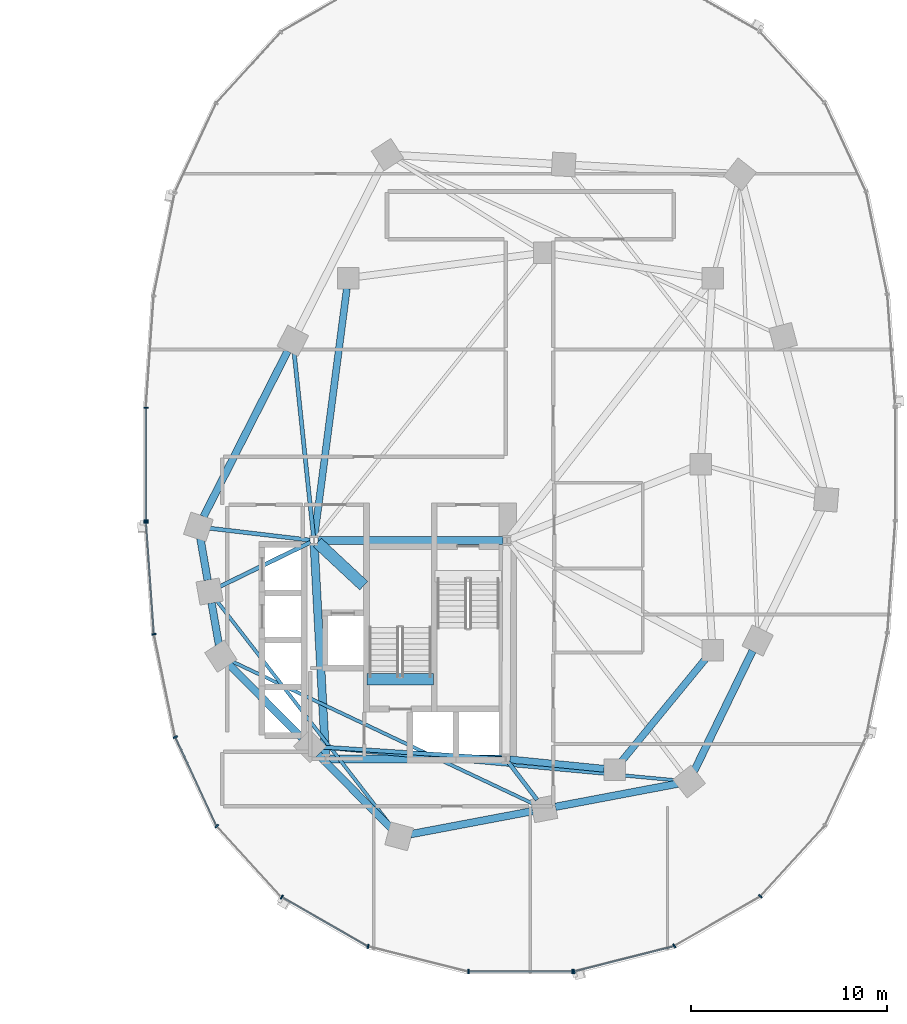
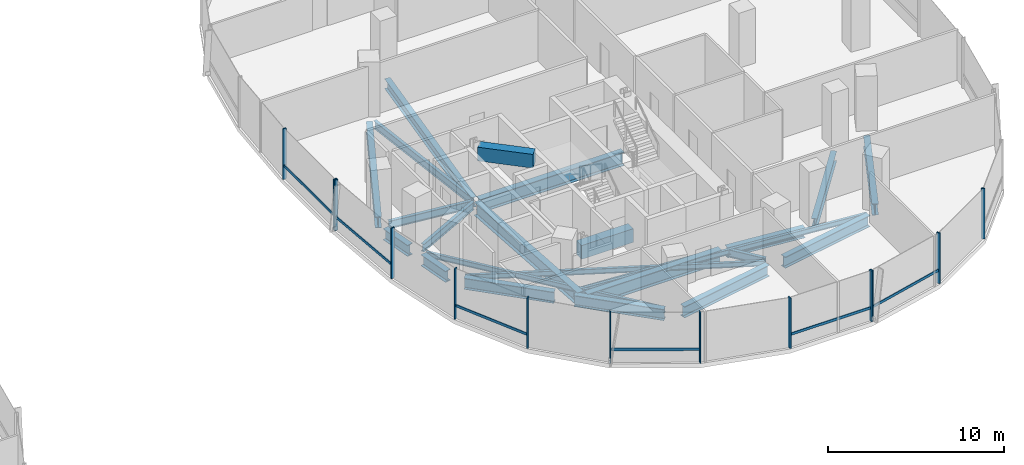
# One storey, part 5 of 21: 24 beams, 19 members, 3 elements without a shape of their own.
"""IFC4 building model written with IfcOpenShell, lengths in metres."""

import ifcopenshell
import ifcopenshell.guid

model = None  # the IFC model being written
_history = None  # IfcOwnerHistory: only IFC2X3 demands one
_inside = {}  # id of a spatial element -> (the spatial element, [elements in it])
_under = {}  # id of a project, library or spatial element -> (it, [spatial elements below it])
_declared = {}  # id of a project -> (the project, [libraries it declares])
_typed = {}  # id of a type object -> (the type object, [elements of that type])
_made_of = {}  # id of a material, layer set ... -> (it, [elements and type objects made of it])


def new_model(schema):
    """Start an empty IFC model of exactly this schema.

    Asked for "IFC4X3", IfcOpenShell would pick the latest addendum, in which some entities
    have other attributes; the version numbers below select the first issue.
    IFC2X3 requires an IfcOwnerHistory on every rooted entity: one is made here for all.
    """
    global model, _history
    if schema == "IFC4X3":
        model = ifcopenshell.file(schema_version=(4, 3, 0, 0))
    else:
        model = ifcopenshell.file(schema=schema)
    _inside.clear()
    _under.clear()
    _declared.clear()
    _typed.clear()
    _made_of.clear()
    _history = None
    if model.schema == "IFC2X3":
        org = make("IfcOrganization", Name="unknown")
        user = make(
            "IfcPersonAndOrganization",
            ThePerson=make("IfcPerson", FamilyName="unknown"),
            TheOrganization=org,
        )
        app = make(
            "IfcApplication",
            ApplicationDeveloper=org,
            Version="unknown",
            ApplicationFullName="unknown",
            ApplicationIdentifier="unknown",
        )
        _history = make(
            "IfcOwnerHistory",
            OwningUser=user,
            OwningApplication=app,
            ChangeAction="ADDED",
            CreationDate=0,
        )
    return model


def make(cls, **values):
    """One entity of the class cls with the attributes given. An attribute that is None is left unset."""
    return model.create_entity(
        cls, **{name: value for name, value in values.items() if value is not None}
    )


def rooted(cls, **values):
    """An entity with a GlobalId (a new one), such as an element, a storey or a relation."""
    return make(cls, GlobalId=ifcopenshell.guid.new(), OwnerHistory=_history, **values)


def si_unit(unit_type, name, prefix=None):
    """IfcSIUnit, for example si_unit("LENGTHUNIT", "METRE", prefix="MILLI")."""
    return make("IfcSIUnit", UnitType=unit_type, Prefix=prefix, Name=name)


def assignment(units):
    """IfcUnitAssignment: the units of a project."""
    return None if units is None else make("IfcUnitAssignment", Units=units)


def point(xyz):
    """IfcCartesianPoint."""
    return None if xyz is None else make("IfcCartesianPoint", Coordinates=xyz)


def direction(xyz):
    """IfcDirection."""
    return None if xyz is None else make("IfcDirection", DirectionRatios=xyz)


def frame(location, z_axis=None, x_axis=None):
    """IfcAxis2Placement3D, a coordinate frame: its origin and axes. An axis left out is left unset."""
    return make(
        "IfcAxis2Placement3D",
        Location=point(location),
        Axis=direction(z_axis),
        RefDirection=direction(x_axis),
    )


def frame_2d(location, x_axis=None):
    """IfcAxis2Placement2D, a coordinate frame in the plane: its origin and x axis."""
    return make(
        "IfcAxis2Placement2D", Location=point(location), RefDirection=direction(x_axis)
    )


def origin():
    """The frame at (0, 0, 0) with its axes left unset."""
    return frame((0.0, 0.0, 0.0))


def origin_2d():
    """The frame at (0, 0) in the plane with its x axis left unset."""
    return frame_2d((0.0, 0.0))


def place(relative_to, where):
    """IfcLocalPlacement: puts the frame where relative to a parent placement (None: the world)."""
    return make(
        "IfcLocalPlacement", PlacementRelTo=relative_to, RelativePlacement=where
    )


def context(
    kind, dimensions, precision=None, world=None, true_north=None, identifier=None
):
    """IfcGeometricRepresentationContext, for example the 3D "Model" context."""
    return make(
        "IfcGeometricRepresentationContext",
        ContextIdentifier=identifier,
        ContextType=kind,
        CoordinateSpaceDimension=dimensions,
        Precision=precision,
        WorldCoordinateSystem=world,
        TrueNorth=true_north,
    )


def subcontext(parent, identifier, kind, view, scale=None):
    """IfcGeometricRepresentationSubContext, for example "Body" below "Model"."""
    return make(
        "IfcGeometricRepresentationSubContext",
        ContextIdentifier=identifier,
        ContextType=kind,
        ParentContext=parent,
        TargetScale=scale,
        TargetView=view,
    )


def project(units=None, contexts=None):
    """IfcProject with its units and contexts."""
    return rooted(
        "IfcProject",
        Name="project",
        RepresentationContexts=contexts,
        UnitsInContext=assignment(units),
    )


def spatial(cls, under=None, at=None, **own):
    """A site, building, storey or space (cls), placed at a placement, below another one or the project."""
    s = rooted(cls, ObjectPlacement=at, **own)
    if under is not None:
        _under.setdefault(under.id(), (under, []))[1].append(s)
    return s


def profile(cls, at=None, kind="AREA", **sizes):
    """A parametric profile (cls). Its sizes go by their IFC names, for example OverallWidth=200.0."""
    return make(cls, ProfileType=kind, Position=at, **sizes)


def rectangle(**sizes):
    """IfcRectangleProfileDef."""
    return profile("IfcRectangleProfileDef", **sizes)


def i_section(**sizes):
    """IfcIShapeProfileDef."""
    return profile("IfcIShapeProfileDef", **sizes)


def extrude(swept, where, along, depth):
    """IfcExtrudedAreaSolid: the profile swept, set in the frame where, extruded along a direction by depth."""
    return make(
        "IfcExtrudedAreaSolid",
        SweptArea=swept,
        Position=where,
        ExtrudedDirection=direction(along),
        Depth=depth,
    )


def shape(context_of_items, identifier, shape_type, items):
    """IfcShapeRepresentation: the items that make up one representation, for example the "Body"."""
    return make(
        "IfcShapeRepresentation",
        ContextOfItems=context_of_items,
        RepresentationIdentifier=identifier,
        RepresentationType=shape_type,
        Items=items,
    )


def material(Name=None, Category=None):
    """IfcMaterial."""
    return make("IfcMaterial", Name=Name, Category=Category)


def material_profile(
    of_material, cross_section, Name=None, Category=None, Priority=None
):
    """IfcMaterialProfile: a cross section and its material."""
    return make(
        "IfcMaterialProfile",
        Name=Name,
        Material=of_material,
        Profile=cross_section,
        Priority=Priority,
        Category=Category,
    )


def profile_set(profiles, Name=None, composite=None):
    """IfcMaterialProfileSet."""
    return make(
        "IfcMaterialProfileSet",
        Name=Name,
        MaterialProfiles=profiles,
        CompositeProfile=composite,
    )


def made_of(thing, what):
    """Note that an element or type object is made of a material, layer set ...; save() writes the relation."""
    if what is not None:
        _made_of.setdefault(what.id(), (what, []))[1].append(thing)
    return thing


def type_object(cls, material=None, **own):
    """A type object (cls), such as IfcWallType, which elements share."""
    return made_of(rooted(cls, **own), material)


def element(
    cls,
    number,
    at=None,
    inside=None,
    cuts=None,
    type_object=None,
    material=None,
    context=None,
    identifier="Body",
    shape_type=None,
    held_by="IfcProductDefinitionShape",
    body=None,
    shapes=None,
    **own,
):
    """One element of the class cls, such as IfcWall. Its Tag is "e" and its number.

    at: its placement. inside: the storey or other place that contains it. cuts: it is an
    opening in that element (IfcRelVoidsElement). A single representation is given by context,
    identifier, shape_type and body (its items); several are given by shapes. held_by: the class
    of the entity that holds the representations. save() writes the other relations.
    """
    e = rooted(cls, Tag="e%d" % number, ObjectPlacement=at, **own)
    if body is not None:
        shapes = [shape(context, identifier, shape_type, body)]
    if shapes is not None:
        e.Representation = make(held_by, Representations=shapes)
    if inside is not None:
        _inside.setdefault(inside.id(), (inside, []))[1].append(e)
    if cuts is not None:
        rooted(
            "IfcRelVoidsElement", RelatingBuildingElement=cuts, RelatedOpeningElement=e
        )
    if type_object is not None:
        _typed.setdefault(type_object.id(), (type_object, []))[1].append(e)
    return made_of(e, material)


def aggregate(whole, parts):
    """IfcRelAggregates: a whole, such as a stair, and the parts it consists of."""
    return rooted("IfcRelAggregates", RelatingObject=whole, RelatedObjects=parts)


def save(model, path):
    """Write the relations noted so far, then the file.

    IfcRelAggregates (storeys below a building ...), IfcRelContainedInSpatialStructure (elements
    in a storey), IfcRelDefinesByType, IfcRelAssociatesMaterial and IfcRelDeclares: one each for
    every whole, place, type object, material and project.
    """
    for whole, parts in _under.values():
        aggregate(whole, parts)
    for where, things in _inside.values():
        rooted(
            "IfcRelContainedInSpatialStructure",
            RelatedElements=things,
            RelatingStructure=where,
        )
    for kind, things in _typed.values():
        rooted("IfcRelDefinesByType", RelatedObjects=things, RelatingType=kind)
    for what, things in _made_of.values():
        rooted("IfcRelAssociatesMaterial", RelatedObjects=things, RelatingMaterial=what)
    for by, libraries in _declared.values():
        rooted("IfcRelDeclares", RelatingContext=by, RelatedDefinitions=libraries)
    model.write(path)


model = new_model("IFC4")

# Units and contexts
model_context = context("Model", 3, precision=1e-05, world=origin(), true_north=direction((0.0, 1.0)))
body_context = subcontext(model_context, "Body", "Model", "MODEL_VIEW")
ifc_project = project(units=[si_unit("LENGTHUNIT", "METRE"), si_unit("AREAUNIT", "SQUARE_METRE"), si_unit("VOLUMEUNIT", "CUBIC_METRE"), si_unit("PLANEANGLEUNIT", "RADIAN"), si_unit("MASSUNIT", "GRAM", prefix="KILO"), si_unit("THERMODYNAMICTEMPERATUREUNIT", "KELVIN"), si_unit("POWERUNIT", "WATT")], contexts=[model_context])

# Site, building, storey
site_placement = place(None, origin())
site = spatial("IfcSite", under=ifc_project, at=site_placement, CompositionType="ELEMENT")
building_placement = place(site_placement, origin())
building = spatial("IfcBuilding", under=site, at=building_placement, Name="Cundina Bronze Exchange", CompositionType="ELEMENT")
storey_placement = place(building_placement, frame((0.0, 0.0, 65.800048828125)))
storey = spatial("IfcBuildingStorey", under=building, at=storey_placement, Name="L16", CompositionType="ELEMENT", Elevation=65.800048828125)

# Beams
ifc_material_1 = material(Name="Concrete C60/75", Category="concrete")
ifc_material_profile_1 = material_profile(ifc_material_1, rectangle(XDim=0.60009765625, YDim=0.949951171875, at=origin_2d()), Name="RC600X950", Category="concrete")
ifc_profile_set_1 = profile_set([ifc_material_profile_1], Name="Concrete C60/75")
beam_type_1 = type_object("IfcBeamType", Name="BM-COUP-RC950", PredefinedType="LINTEL", material=ifc_profile_set_1)
beam_1_placement = place(storey_placement, frame((24.159912109375, -10.97998046875, -0.47509765625), z_axis=(1.0, 0.0, 0.0), x_axis=(0.0, 1.0, 0.0)))
element("IfcBeam", 1, at=beam_1_placement, inside=storey, type_object=beam_type_1, Name="L16 Stair E2 Landing Header Beam", PredefinedType="LINTEL", context=body_context, shape_type="SweptSolid", body=[
    extrude(rectangle(XDim=0.60009765625, YDim=0.949951171875, at=origin_2d()), origin(), (0.0, 0.0, 1.0), 3.400146484375),
])
beam_2_placement = place(storey_placement, frame((21.6298828125, -4.0, 3.02490234375), z_axis=(0.731490439815, -0.681851696822, 0.0), x_axis=(0.681851696822, 0.731490439815, 0.0)))
element("IfcBeam", 2, at=beam_2_placement, inside=storey, type_object=beam_type_1, Name="L16 E Core Shear Coupling Lintel Beam", PredefinedType="LINTEL", context=body_context, shape_type="SweptSolid", body=[
    extrude(rectangle(XDim=0.60009765625, YDim=0.949951171875, at=origin_2d()), origin(), (0.0, 0.0, 1.0), 3.226318359375),
])
ifc_material_2 = material(Name="Steel ASTM A992 Grade 50", Category="steel")
ifc_material_profile_2 = material_profile(ifc_material_2, i_section(OverallWidth=0.2099609375, OverallDepth=0.532958984375, WebThickness=0.01025390625, FlangeThickness=0.015625, FilletRadius=0.013916015625, at=origin_2d()), Name="W21X62", Category="steel")
ifc_profile_set_2 = profile_set([ifc_material_profile_2], Name="Steel ASTM A992 Grade 50")
beam_type_2 = type_object("IfcBeamType", Name="BM-FLR-W21B", PredefinedType="BEAM", material=ifc_profile_set_2)
beam_3_placement = place(storey_placement, frame((21.247314453125, -3.8759765625, -0.566650390625), z_axis=(-0.993035236117, 0.117817739878, 0.0), x_axis=(-0.117817739878, -0.993035236117, 0.0)))
element("IfcBeam", 3, at=beam_3_placement, inside=storey, type_object=beam_type_2, Name="L16 Leg E Chordal Floor Beam 00", PredefinedType="BEAM", context=body_context, shape_type="SweptSolid", body=[
    extrude(i_section(OverallWidth=0.2099609375, OverallDepth=0.532958984375, WebThickness=0.01025390625, FlangeThickness=0.015625, FilletRadius=0.013916015625, at=origin_2d()), origin(), (0.0, 0.0, 1.0), 5.1494140625),
])
beam_4_placement = place(storey_placement, frame((21.2666015625, -3.989501953125, -0.566650390625), z_axis=(-0.898610249448, -0.438747785849, 0.0), x_axis=(0.438747785849, -0.898610249448, 0.0)))
element("IfcBeam", 4, at=beam_4_placement, inside=storey, type_object=beam_type_2, Name="L16 Leg E Chordal Floor Beam 01", PredefinedType="BEAM", context=body_context, shape_type="SweptSolid", body=[
    extrude(i_section(OverallWidth=0.2099609375, OverallDepth=0.532958984375, WebThickness=0.01025390625, FlangeThickness=0.015625, FilletRadius=0.013916015625, at=origin_2d()), origin(), (0.0, 0.0, 1.0), 5.1337890625),
])
beam_5_placement = place(storey_placement, frame((31.04638671875, -15.036865234375, -0.566650390625), z_axis=(-0.99789233798, 0.064891307594, 0.0), x_axis=(-0.064891307594, -0.99789233798, 0.0)))
element("IfcBeam", 5, at=beam_5_placement, inside=storey, type_object=beam_type_2, Name="L16 Leg E Chordal Floor Beam 03", PredefinedType="BEAM", context=body_context, shape_type="SweptSolid", body=[
    extrude(i_section(OverallWidth=0.2099609375, OverallDepth=0.532958984375, WebThickness=0.01025390625, FlangeThickness=0.015625, FilletRadius=0.013916015625, at=origin_2d()), origin(), (0.0, 0.0, 1.0), 9.22900390625),
])
beam_6_placement = place(storey_placement, frame((31.373779296875, -15.2119140625, -0.566650390625), z_axis=(0.607468844289, -0.794343504548, 0.0), x_axis=(0.794343504548, 0.607468844289, 0.0)))
element("IfcBeam", 6, at=beam_6_placement, inside=storey, type_object=beam_type_2, Name="L16 Leg E Chordal Floor Beam 05", PredefinedType="BEAM", context=body_context, shape_type="SweptSolid", body=[
    extrude(i_section(OverallWidth=0.2099609375, OverallDepth=0.532958984375, WebThickness=0.01025390625, FlangeThickness=0.015625, FilletRadius=0.013916015625, at=origin_2d()), origin(), (0.0, 0.0, 1.0), 2.418212890625),
])
beam_7_placement = place(storey_placement, frame((21.4287109375, -3.697021484375, -0.566650390625), z_axis=(-0.10483517787, 0.994489610544, 0.0), x_axis=(-0.994489610544, -0.10483517787, 0.0)))
element("IfcBeam", 7, at=beam_7_placement, inside=storey, type_object=beam_type_2, Name="L16 Leg E Chordal Floor Beam 13", PredefinedType="BEAM", context=body_context, shape_type="SweptSolid", body=[
    extrude(i_section(OverallWidth=0.2099609375, OverallDepth=0.532958984375, WebThickness=0.01025390625, FlangeThickness=0.015625, FilletRadius=0.013916015625, at=origin_2d()), origin(), (0.0, 0.0, 1.0), 9.46435546875),
])
ifc_material_profile_3 = material_profile(ifc_material_2, i_section(OverallWidth=0.172119140625, OverallDepth=0.35791015625, WebThickness=0.0078125, FlangeThickness=0.01318359375, FilletRadius=0.010009765625, at=origin_2d()), Name="W14X38", Category="steel")
ifc_profile_set_3 = profile_set([ifc_material_profile_3], Name="Steel ASTM A992 Grade 50")
beam_type_3 = type_object("IfcBeamType", Name="BM-JST-W14", PredefinedType="JOIST", material=ifc_profile_set_3)
beam_8_placement = place(storey_placement, frame((16.48486328125, -6.965087890625, -0.47900390625), z_axis=(0.612089386305, -0.790788583108, 0.0), x_axis=(0.790788583108, 0.612089386305, 0.0)))
element("IfcBeam", 8, at=beam_8_placement, inside=storey, type_object=beam_type_3, Name="L16 Leg E Lobe Floor Joist 01-04", PredefinedType="JOIST", context=body_context, shape_type="SweptSolid", body=[
    extrude(i_section(OverallWidth=0.172119140625, OverallDepth=0.35791015625, WebThickness=0.0078125, FlangeThickness=0.01318359375, FilletRadius=0.010009765625, at=origin_2d()), origin(), (0.0, 0.0, 1.0), 14.630859375),
])
beam_9_placement = place(storey_placement, frame((17.231689453125, -10.05126953125, -0.47900390625), z_axis=(0.904072668297, -0.427378766949, 0.0), x_axis=(0.427378766949, 0.904072668297, 0.0)))
element("IfcBeam", 9, at=beam_9_placement, inside=storey, type_object=beam_type_3, Name="L16 Leg E Lobe Floor Joist 02-05", PredefinedType="JOIST", context=body_context, shape_type="SweptSolid", body=[
    extrude(i_section(OverallWidth=0.172119140625, OverallDepth=0.35791015625, WebThickness=0.0078125, FlangeThickness=0.01318359375, FilletRadius=0.010009765625, at=origin_2d()), origin(), (0.0, 0.0, 1.0), 17.07470703125),
])
beam_10_placement = place(storey_placement, frame((21.83544921875, -14.45458984375, -0.47900390625), z_axis=(0.995701961644, -0.09261535282, 0.0), x_axis=(0.09261535282, 0.995701961644, 0.0)))
element("IfcBeam", 10, at=beam_10_placement, inside=storey, type_object=beam_type_3, Name="L16 Leg E Lobe Floor Joist 03-06", PredefinedType="JOIST", context=body_context, shape_type="SweptSolid", body=[
    extrude(i_section(OverallWidth=0.172119140625, OverallDepth=0.35791015625, WebThickness=0.0078125, FlangeThickness=0.01318359375, FilletRadius=0.010009765625, at=origin_2d()), origin(), (0.0, 0.0, 1.0), 18.25732421875),
])
ifc_material_profile_4 = material_profile(ifc_material_2, i_section(OverallWidth=0.35498046875, OverallDepth=0.695068359375, WebThickness=0.015380859375, FlangeThickness=0.02490234375, FilletRadius=0.01806640625, at=origin_2d()), Name="W27X146", Category="steel")
ifc_profile_set_4 = profile_set([ifc_material_profile_4], Name="Steel ASTM A992 Grade 50")
beam_type_4 = type_object("IfcBeamType", Name="BM-RING-W27", PredefinedType="USERDEFINED", material=ifc_profile_set_4)
beam_11_placement = place(storey_placement, frame((31.452880859375, -15.070068359375, -0.6474609375), z_axis=(0.995126271817, -0.098608839051, 0.0), x_axis=(0.098608839051, 0.995126271817, 0.0)))
element("IfcBeam", 11, at=beam_11_placement, inside=storey, type_object=beam_type_4, Name="L16 E Inner Structural Ring Girder 01", ObjectType="GIRDER", PredefinedType="USERDEFINED", context=body_context, shape_type="SweptSolid", body=[
    extrude(i_section(OverallWidth=0.35498046875, OverallDepth=0.695068359375, WebThickness=0.015380859375, FlangeThickness=0.02490234375, FilletRadius=0.01806640625, at=origin_2d()), origin(), (0.0, 0.0, 1.0), 4.83544921875),
])
beam_12_placement = place(storey_placement, frame((37.14111328125, -15.183837890625, -0.6474609375), z_axis=(0.633926549035, 0.773393257295, 0.0), x_axis=(-0.773393257295, 0.633926549035, 0.0)))
element("IfcBeam", 12, at=beam_12_placement, inside=storey, type_object=beam_type_4, Name="L16 E Inner Structural Ring Girder 02", ObjectType="GIRDER", PredefinedType="USERDEFINED", context=body_context, shape_type="SweptSolid", body=[
    extrude(i_section(OverallWidth=0.35498046875, OverallDepth=0.695068359375, WebThickness=0.015380859375, FlangeThickness=0.02490234375, FilletRadius=0.01806640625, at=origin_2d()), origin(), (0.0, 0.0, 1.0), 6.811279296875),
])
beam_13_placement = place(storey_placement, frame((23.13037109375, 8.966552734375, -0.6474609375), z_axis=(-0.129507526533, -0.99157843894, 0.0), x_axis=(0.99157843894, -0.129507526533, 0.0)))
element("IfcBeam", 13, at=beam_13_placement, inside=storey, type_object=beam_type_4, Name="L16 E Inner Structural Ring Girder 07", ObjectType="GIRDER", PredefinedType="USERDEFINED", context=body_context, shape_type="SweptSolid", body=[
    extrude(i_section(OverallWidth=0.35498046875, OverallDepth=0.695068359375, WebThickness=0.015380859375, FlangeThickness=0.02490234375, FilletRadius=0.01806640625, at=origin_2d()), origin(), (0.0, 0.0, 1.0), 12.77197265625),
])
ifc_material_profile_5 = material_profile(ifc_material_2, i_section(OverallWidth=0.381103515625, OverallDepth=0.77294921875, WebThickness=0.0166015625, FlangeThickness=0.027099609375, FilletRadius=0.01904296875, at=origin_2d()), Name="W30X173", Category="steel")
ifc_profile_set_5 = profile_set([ifc_material_profile_5], Name="Steel ASTM A992 Grade 50")
beam_type_5 = type_object("IfcBeamType", Name="BM-RING-W30", PredefinedType="USERDEFINED", material=ifc_profile_set_5)
for number, where, z_axis, x_axis, name in (
    (14, (15.65087890625, -3.779296875, -0.6865234375), (0.171734584051, -0.985143254883, 0.0), (0.985143254883, 0.171734584051, 0.0), "L16 E Perimeter Ring Girder 00"),
    (15, (16.225830078125, -7.079345703125, -0.6865234375), (0.171734584051, -0.985143254883, 0.0), (0.985143254883, 0.171734584051, 0.0), "L16 E Perimeter Ring Girder 01"),
):
    element("IfcBeam", number, at=place(storey_placement, frame(where, z_axis=z_axis, x_axis=x_axis)), inside=storey, type_object=beam_type_5, Name=name, ObjectType="GIRDER", PredefinedType="USERDEFINED", context=body_context, shape_type="SweptSolid", body=[
        extrude(i_section(OverallWidth=0.381103515625, OverallDepth=0.77294921875, WebThickness=0.0166015625, FlangeThickness=0.027099609375, FilletRadius=0.01904296875, at=origin_2d()), origin(), (0.0, 0.0, 1.0), 2.173583984375),
    ])
for number, where, z_axis, x_axis, name in (
    (16, (17.113525390625, -10.218017578125, -0.6865234375), (0.703222428859, -0.710969911845, 0.0), (0.710969911845, 0.703222428859, 0.0), "L16 E Perimeter Ring Girder 02"),
    (17, (21.66357421875, -14.818115234375, -0.6865234375), (0.703222428859, -0.710969911845, 0.0), (0.710969911845, 0.703222428859, 0.0), "L16 E Perimeter Ring Girder 03"),
):
    element("IfcBeam", number, at=place(storey_placement, frame(where, z_axis=z_axis, x_axis=x_axis)), inside=storey, type_object=beam_type_5, Name=name, ObjectType="GIRDER", PredefinedType="USERDEFINED", context=body_context, shape_type="SweptSolid", body=[
        extrude(i_section(OverallWidth=0.381103515625, OverallDepth=0.77294921875, WebThickness=0.0166015625, FlangeThickness=0.027099609375, FilletRadius=0.01904296875, at=origin_2d()), origin(), (0.0, 0.0, 1.0), 5.2939453125),
    ])
beam_14_placement = place(storey_placement, frame((26.377685546875, -18.890625, -0.6865234375), z_axis=(0.982570814598, 0.185888661031, 0.0), x_axis=(-0.185888661031, 0.982570814598, 0.0)))
element("IfcBeam", 18, at=beam_14_placement, inside=storey, type_object=beam_type_5, Name="L16 E Perimeter Ring Girder 04", ObjectType="GIRDER", PredefinedType="USERDEFINED", context=body_context, shape_type="SweptSolid", body=[
    extrude(i_section(OverallWidth=0.381103515625, OverallDepth=0.77294921875, WebThickness=0.0166015625, FlangeThickness=0.027099609375, FilletRadius=0.01904296875, at=origin_2d()), origin(), (0.0, 0.0, 1.0), 6.35546875),
])
beam_15_placement = place(storey_placement, frame((33.77783203125, -17.49072265625, -0.6865234375), z_axis=(0.982569487119, 0.185895677686, 0.0), x_axis=(-0.185895677686, 0.982569487119, 0.0)))
element("IfcBeam", 19, at=beam_15_placement, inside=storey, type_object=beam_type_5, Name="L16 E Perimeter Ring Girder 05", ObjectType="GIRDER", PredefinedType="USERDEFINED", context=body_context, shape_type="SweptSolid", body=[
    extrude(i_section(OverallWidth=0.381103515625, OverallDepth=0.77294921875, WebThickness=0.0166015625, FlangeThickness=0.027099609375, FilletRadius=0.01904296875, at=origin_2d()), origin(), (0.0, 0.0, 1.0), 6.355224609375),
])
beam_16_placement = place(storey_placement, frame((40.857177734375, -15.671142578125, -0.6865234375), z_axis=(0.437190698904, 0.899368830231, 0.0), x_axis=(-0.899368830231, 0.437190698904, 0.0)))
element("IfcBeam", 20, at=beam_16_placement, inside=storey, type_object=beam_type_5, Name="L16 E Perimeter Ring Girder 06", ObjectType="GIRDER", PredefinedType="USERDEFINED", context=body_context, shape_type="SweptSolid", body=[
    extrude(i_section(OverallWidth=0.381103515625, OverallDepth=0.77294921875, WebThickness=0.0166015625, FlangeThickness=0.027099609375, FilletRadius=0.01904296875, at=origin_2d()), origin(), (0.0, 0.0, 1.0), 6.82958984375),
])
beam_17_placement = place(storey_placement, frame((20.108642578125, 5.775634765625, -0.6865234375), z_axis=(-0.452819633606, -0.891602141889, 0.0), x_axis=(0.891602141889, -0.452819633606, 0.0)))
element("IfcBeam", 21, at=beam_17_placement, inside=storey, type_object=beam_type_5, Name="L16 E Perimeter Ring Girder 13", ObjectType="GIRDER", PredefinedType="USERDEFINED", context=body_context, shape_type="SweptSolid", body=[
    extrude(i_section(OverallWidth=0.381103515625, OverallDepth=0.77294921875, WebThickness=0.0166015625, FlangeThickness=0.027099609375, FilletRadius=0.01904296875, at=origin_2d()), origin(), (0.0, 0.0, 1.0), 9.47900390625),
])
ifc_material_profile_6 = material_profile(ifc_material_2, i_section(OverallWidth=0.41796875, OverallDepth=0.927001953125, WebThickness=0.019287109375, FlangeThickness=0.031982421875, FilletRadius=0.02392578125, at=origin_2d()), Name="W36X231", Category="steel")
ifc_profile_set_6 = profile_set([ifc_material_profile_6], Name="Steel ASTM A992 Grade 50")
beam_type_6 = type_object("IfcBeamType", Name="BM-WRN-W36B", PredefinedType="USERDEFINED", material=ifc_profile_set_6)
beam_18_placement = place(storey_placement, frame((31.095947265625, -3.89990234375, -0.763427734375), z_axis=(-1.0, 0.0, 0.0), x_axis=(0.0, -1.0, 0.0)))
element("IfcBeam", 22, at=beam_18_placement, inside=storey, type_object=beam_type_6, Name="L16 E Core Perimeter Tie Girder 1", ObjectType="GIRDER", PredefinedType="USERDEFINED", context=body_context, shape_type="SweptSolid", body=[
    extrude(i_section(OverallWidth=0.41796875, OverallDepth=0.927001953125, WebThickness=0.019287109375, FlangeThickness=0.031982421875, FilletRadius=0.02392578125, at=origin_2d()), origin(), (0.0, 0.0, 1.0), 9.44189453125),
])
beam_19_placement = place(storey_placement, frame((21.4609375, -4.103759765625, -0.763427734375), z_axis=(0.053739193498, -0.998555005537, 0.0), x_axis=(0.998555005537, 0.053739193498, 0.0)))
element("IfcBeam", 23, at=beam_19_placement, inside=storey, type_object=beam_type_6, Name="L16 E Core Perimeter Tie Girder 2", ObjectType="GIRDER", PredefinedType="USERDEFINED", context=body_context, shape_type="SweptSolid", body=[
    extrude(i_section(OverallWidth=0.41796875, OverallDepth=0.927001953125, WebThickness=0.019287109375, FlangeThickness=0.031982421875, FilletRadius=0.02392578125, at=origin_2d()), origin(), (0.0, 0.0, 1.0), 10.758056640625),
])
beam_20_placement = place(storey_placement, frame((22.25390625, -15.050048828125, -0.763427734375), z_axis=(1.0, 0.0, 0.0), x_axis=(0.0, 1.0, 0.0)))
element("IfcBeam", 24, at=beam_20_placement, inside=storey, type_object=beam_type_6, Name="L16 E Core Perimeter Tie Girder 3", ObjectType="GIRDER", PredefinedType="USERDEFINED", context=body_context, shape_type="SweptSolid", body=[
    extrude(i_section(OverallWidth=0.41796875, OverallDepth=0.927001953125, WebThickness=0.019287109375, FlangeThickness=0.031982421875, FilletRadius=0.02392578125, at=origin_2d()), origin(), (0.0, 0.0, 1.0), 8.7919921875),
])

# Curtain wall, members
ifc_material_3 = material(Name="Anodised Bronze Aluminium 6063-T6", Category="aluminium")
curtain_wall_type = type_object("IfcCurtainWallType", Name="CWS-TRD-LOW", PredefinedType="NOTDEFINED", material=ifc_material_3)
curtain_wall_1_placement = place(storey_placement, origin())
curtain_wall_1 = element("IfcCurtainWall", 25, at=curtain_wall_1_placement, inside=storey, type_object=curtain_wall_type, Name="L16 CW-02 Curtain Wall Run CWR-L16-E2", PredefinedType="NOTDEFINED")
ifc_material_profile_7 = material_profile(ifc_material_3, rectangle(XDim=0.074951171875, YDim=0.219970703125, at=origin_2d()), Name="AL75X220", Category="aluminium")
ifc_profile_set_7 = profile_set([ifc_material_profile_7], Name="Anodised Bronze Aluminium 6063-T6")
member_type_1 = type_object("IfcMemberType", Name="CWM-MUL-220", PredefinedType="MULLION", material=ifc_profile_set_7)
member_1_placement = place(storey_placement, frame((12.8720703125, 2.880615234375, 0.0), z_axis=(0.0, 0.0, 1.0), x_axis=(0.0, -1.0, 0.0)))
member_1 = element("IfcMember", 26, at=member_1_placement, type_object=member_type_1, Name="CW-02 Mullion 7", PredefinedType="MULLION", context=body_context, shape_type="SweptSolid", body=[
    extrude(rectangle(XDim=0.074951171875, YDim=0.219970703125, at=origin_2d()), origin(), (0.0, 0.0, 1.0), 3.5),
])
member_2_placement = place(storey_placement, frame((12.8720703125, -2.880615234375, 0.0), z_axis=(0.0, 0.0, 1.0), x_axis=(0.0, -1.0, 0.0)))
member_2 = element("IfcMember", 27, at=member_2_placement, type_object=member_type_1, Name="CW-02 End Mullion", PredefinedType="MULLION", context=body_context, shape_type="SweptSolid", body=[
    extrude(rectangle(XDim=0.074951171875, YDim=0.219970703125, at=origin_2d()), origin(), (0.0, 0.0, 1.0), 3.5),
])

curtain_wall_2_placement = place(storey_placement, origin())
curtain_wall_2 = element("IfcCurtainWall", 28, at=curtain_wall_2_placement, inside=storey, type_object=curtain_wall_type, Name="L16 CW-02 Curtain Wall Run CWR-L16-E3", PredefinedType="NOTDEFINED")
member_3_placement = place(storey_placement, frame((12.87548828125, -2.976318359375, 0.0), z_axis=(0.0, 0.0, 1.0), x_axis=(0.070278787473, -0.997527389113, 0.0)))
member_3 = element("IfcMember", 29, at=member_3_placement, type_object=member_type_1, Name="CW-02 Mullion 1", PredefinedType="MULLION", context=body_context, shape_type="SweptSolid", body=[
    extrude(rectangle(XDim=0.074951171875, YDim=0.219970703125, at=origin_2d()), origin(), (0.0, 0.0, 1.0), 3.5),
])
member_4_placement = place(storey_placement, frame((13.282958984375, -8.67822265625, 0.0), z_axis=(0.0, 0.0, 1.0), x_axis=(0.201419845156, -0.979505000486, 0.0)))
member_4 = element("IfcMember", 30, at=member_4_placement, type_object=member_type_1, Name="CW-02 Mullion 2", PredefinedType="MULLION", context=body_context, shape_type="SweptSolid", body=[
    extrude(rectangle(XDim=0.074951171875, YDim=0.219970703125, at=origin_2d()), origin(), (0.0, 0.0, 1.0), 3.5),
])
member_5_placement = place(storey_placement, frame((14.3720703125, -13.931884765625, 0.0), z_axis=(0.0, 0.0, 1.0), x_axis=(0.42087749791, -0.907117485088, 0.0)))
member_5 = element("IfcMember", 31, at=member_5_placement, type_object=member_type_1, Name="CW-02 Mullion 3", PredefinedType="MULLION", context=body_context, shape_type="SweptSolid", body=[
    extrude(rectangle(XDim=0.074951171875, YDim=0.219970703125, at=origin_2d()), origin(), (0.0, 0.0, 1.0), 3.5),
])
member_6_placement = place(storey_placement, frame((16.491455078125, -18.47705078125, 0.0), z_axis=(0.0, 0.0, 1.0), x_axis=(0.674302387584, -0.738455340626, 0.0)))
member_6 = element("IfcMember", 32, at=member_6_placement, type_object=member_type_1, Name="CW-02 Mullion 4", PredefinedType="MULLION", context=body_context, shape_type="SweptSolid", body=[
    extrude(rectangle(XDim=0.074951171875, YDim=0.219970703125, at=origin_2d()), origin(), (0.0, 0.0, 1.0), 3.5),
])
member_7_placement = place(storey_placement, frame((19.810302734375, -22.097412109375, 0.0), z_axis=(0.0, 0.0, 1.0), x_axis=(0.867070701164, -0.498185105339, 0.0)))
member_7 = element("IfcMember", 33, at=member_7_placement, type_object=member_type_1, Name="CW-02 Mullion 5", PredefinedType="MULLION", context=body_context, shape_type="SweptSolid", body=[
    extrude(rectangle(XDim=0.074951171875, YDim=0.219970703125, at=origin_2d()), origin(), (0.0, 0.0, 1.0), 3.5),
])
member_8_placement = place(storey_placement, frame((24.21484375, -24.61669921875, 0.0), z_axis=(0.0, 0.0, 1.0), x_axis=(0.969488149345, -0.245138182011, 0.0)))
member_8 = element("IfcMember", 34, at=member_8_placement, type_object=member_type_1, Name="CW-02 Mullion 6", PredefinedType="MULLION", context=body_context, shape_type="SweptSolid", body=[
    extrude(rectangle(XDim=0.074951171875, YDim=0.219970703125, at=origin_2d()), origin(), (0.0, 0.0, 1.0), 3.5),
])
member_9_placement = place(storey_placement, frame((29.345458984375, -25.905029296875, 0.0), z_axis=(0.0, 0.0, 1.0), x_axis=(1.0, 0.0, 0.0)))
member_9 = element("IfcMember", 35, at=member_9_placement, type_object=member_type_1, Name="CW-02 Mullion 7", PredefinedType="MULLION", context=body_context, shape_type="SweptSolid", body=[
    extrude(rectangle(XDim=0.074951171875, YDim=0.219970703125, at=origin_2d()), origin(), (0.0, 0.0, 1.0), 3.5),
])
member_10_placement = place(storey_placement, frame((34.654541015625, -25.905029296875, 0.0), z_axis=(0.0, 0.0, 1.0), x_axis=(1.0, 0.0, 0.0)))
member_10 = element("IfcMember", 36, at=member_10_placement, type_object=member_type_1, Name="CW-02 End Mullion", PredefinedType="MULLION", context=body_context, shape_type="SweptSolid", body=[
    extrude(rectangle(XDim=0.074951171875, YDim=0.219970703125, at=origin_2d()), origin(), (0.0, 0.0, 1.0), 3.5),
])

curtain_wall_3_placement = place(storey_placement, origin())
curtain_wall_3 = element("IfcCurtainWall", 37, at=curtain_wall_3_placement, inside=storey, type_object=curtain_wall_type, Name="L16 CW-02 Curtain Wall Run CWR-L16-E4", PredefinedType="NOTDEFINED")
member_11_placement = place(storey_placement, frame((34.72607421875, -25.89599609375, 0.0), z_axis=(0.0, 0.0, 1.0), x_axis=(0.969488149345, 0.245138182011, 0.0)))
member_11 = element("IfcMember", 38, at=member_11_placement, type_object=member_type_1, Name="CW-02 Mullion 1", PredefinedType="MULLION", context=body_context, shape_type="SweptSolid", body=[
    extrude(rectangle(XDim=0.074951171875, YDim=0.219970703125, at=origin_2d()), origin(), (0.0, 0.0, 1.0), 3.5),
])
member_12_placement = place(storey_placement, frame((39.848876953125, -24.591064453125, 0.0), z_axis=(0.0, 0.0, 1.0), x_axis=(0.867070701164, 0.498185105339, 0.0)))
member_12 = element("IfcMember", 39, at=member_12_placement, type_object=member_type_1, Name="CW-02 Mullion 2", PredefinedType="MULLION", context=body_context, shape_type="SweptSolid", body=[
    extrude(rectangle(XDim=0.074951171875, YDim=0.219970703125, at=origin_2d()), origin(), (0.0, 0.0, 1.0), 3.5),
])
member_13_placement = place(storey_placement, frame((44.239501953125, -22.0576171875, 0.0), z_axis=(0.0, 0.0, 1.0), x_axis=(0.674302387584, 0.738455340626, 0.0)))
member_13 = element("IfcMember", 40, at=member_13_placement, type_object=member_type_1, Name="CW-02 Mullion 3", PredefinedType="MULLION", context=body_context, shape_type="SweptSolid", body=[
    extrude(rectangle(XDim=0.074951171875, YDim=0.219970703125, at=origin_2d()), origin(), (0.0, 0.0, 1.0), 3.5),
])

# Member
ifc_material_profile_8 = material_profile(ifc_material_3, rectangle(XDim=0.070068359375, YDim=0.179931640625, at=origin_2d()), Name="AL70X180", Category="aluminium")
ifc_profile_set_8 = profile_set([ifc_material_profile_8], Name="Anodised Bronze Aluminium 6063-T6")
member_type_2 = type_object("IfcMemberType", Name="CWM-TRN-180", PredefinedType="USERDEFINED", material=ifc_profile_set_8)
member_14_placement = place(storey_placement, frame((12.8720703125, 2.839111328125, 0.919921875), z_axis=(0.0, -1.0, 0.0), x_axis=(1.0, 0.0, 0.0)))
member_14 = element("IfcMember", 41, at=member_14_placement, type_object=member_type_2, Name="CW-02 Spandrel Transom 7", ObjectType="TRANSOM", PredefinedType="USERDEFINED", context=body_context, shape_type="SweptSolid", body=[
    extrude(rectangle(XDim=0.070068359375, YDim=0.179931640625, at=origin_2d()), origin(), (0.0, 0.0, 1.0), 5.67822265625),
])

aggregate(curtain_wall_1, [member_1, member_2, member_14])

member_15_placement = place(storey_placement, frame((12.87841796875, -3.017333984375, 0.919921875), z_axis=(0.070260714471, -0.997528662246, 0.0), x_axis=(0.997528662246, 0.070260714471, 0.0)))
member_15 = element("IfcMember", 42, at=member_15_placement, type_object=member_type_2, Name="CW-02 Spandrel Transom 1", ObjectType="TRANSOM", PredefinedType="USERDEFINED", context=body_context, shape_type="SweptSolid", body=[
    extrude(rectangle(XDim=0.070068359375, YDim=0.179931640625, at=origin_2d()), origin(), (0.0, 0.0, 1.0), 5.629150390625),
])

member_16_placement = place(storey_placement, frame((14.389404296875, -13.96923828125, 0.919921875), z_axis=(0.420811422796, -0.907148139195, 0.0), x_axis=(0.907148139195, 0.420811422796, 0.0)))
member_16 = element("IfcMember", 43, at=member_16_placement, type_object=member_type_2, Name="CW-02 Spandrel Transom 3", ObjectType="TRANSOM", PredefinedType="USERDEFINED", context=body_context, shape_type="SweptSolid", body=[
    extrude(rectangle(XDim=0.070068359375, YDim=0.179931640625, at=origin_2d()), origin(), (0.0, 0.0, 1.0), 4.95166015625),
])

member_17_placement = place(storey_placement, frame((19.845947265625, -22.117919921875, 0.919921875), z_axis=(0.867097475651, -0.498138502546, 0.0), x_axis=(0.498138502546, 0.867097475651, 0.0)))
member_17 = element("IfcMember", 44, at=member_17_placement, type_object=member_type_2, Name="CW-02 Spandrel Transom 5", ObjectType="TRANSOM", PredefinedType="USERDEFINED", context=body_context, shape_type="SweptSolid", body=[
    extrude(rectangle(XDim=0.070068359375, YDim=0.179931640625, at=origin_2d()), origin(), (0.0, 0.0, 1.0), 5.00634765625),
])

member_18_placement = place(storey_placement, frame((29.38671875, -25.905029296875, 0.919921875), z_axis=(1.0, 0.0, 0.0), x_axis=(0.0, 1.0, 0.0)))
member_18 = element("IfcMember", 45, at=member_18_placement, type_object=member_type_2, Name="CW-02 Spandrel Transom 7", ObjectType="TRANSOM", PredefinedType="USERDEFINED", context=body_context, shape_type="SweptSolid", body=[
    extrude(rectangle(XDim=0.070068359375, YDim=0.179931640625, at=origin_2d()), origin(), (0.0, 0.0, 1.0), 5.2265625),
])

aggregate(curtain_wall_2, [member_3, member_15, member_4, member_5, member_16, member_6, member_7, member_17, member_8, member_9, member_10, member_18])

member_19_placement = place(storey_placement, frame((34.76611328125, -25.885986328125, 0.919921875), z_axis=(0.969483968866, 0.245154714644, 0.0), x_axis=(-0.245154714644, 0.969483968866, 0.0)))
member_19 = element("IfcMember", 46, at=member_19_placement, type_object=member_type_2, Name="CW-02 Spandrel Transom 1", ObjectType="TRANSOM", PredefinedType="USERDEFINED", context=body_context, shape_type="SweptSolid", body=[
    extrude(rectangle(XDim=0.070068359375, YDim=0.179931640625, at=origin_2d()), origin(), (0.0, 0.0, 1.0), 5.21826171875),
])

aggregate(curtain_wall_3, [member_11, member_19, member_12, member_13])

save(model, "model.ifc")
